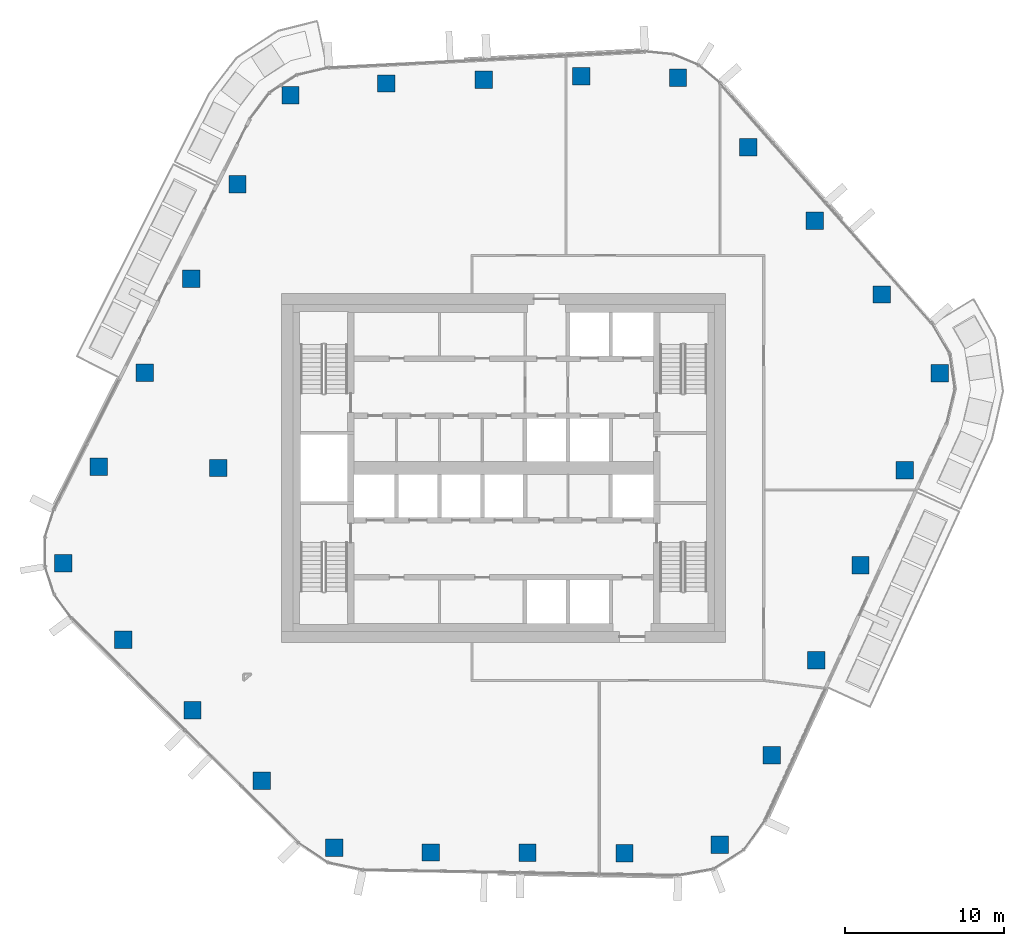
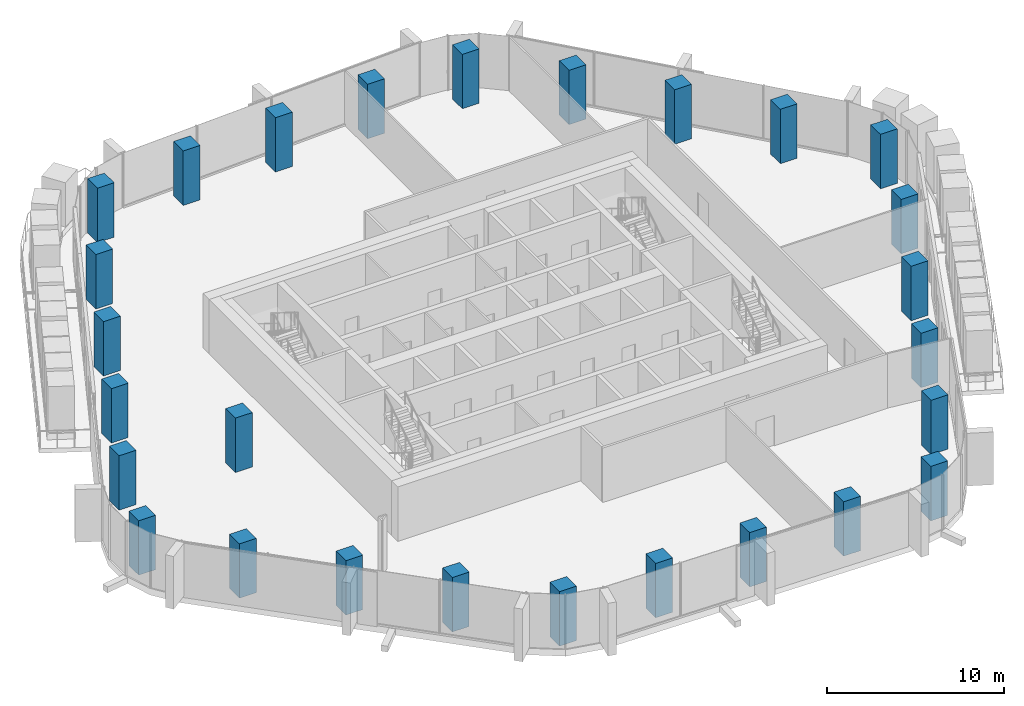
# One storey, part 1 of 21: 27 columns.
"""IFC4 building model written with IfcOpenShell, lengths in metres."""

from ifc_helpers import new_model, si_unit, direction, frame, origin, origin_2d, place, context, subcontext, project, spatial, rectangle, extrude, material, material_profile, profile_set, type_object, element, save


model = new_model("IFC4")

# Units and contexts
model_context = context("Model", 3, precision=1e-05, world=origin(), true_north=direction((0.0, 1.0)))
body_context = subcontext(model_context, "Body", "Model", "MODEL_VIEW")
ifc_project = project(units=[si_unit("LENGTHUNIT", "METRE"), si_unit("AREAUNIT", "SQUARE_METRE"), si_unit("VOLUMEUNIT", "CUBIC_METRE"), si_unit("PLANEANGLEUNIT", "RADIAN"), si_unit("MASSUNIT", "GRAM", prefix="KILO")], contexts=[model_context])

# Site, building, storey
site_placement = place(None, origin())
site = spatial("IfcSite", under=ifc_project, at=site_placement, CompositionType="ELEMENT")
building_placement = place(site_placement, origin())
building = spatial("IfcBuilding", under=site, at=building_placement, Name="Dongbaek Canopy Tower", CompositionType="ELEMENT")
storey_placement = place(building_placement, frame((0.0, 0.0, 232.800048828125)))
storey = spatial("IfcBuildingStorey", under=building, at=storey_placement, Name="L48", CompositionType="ELEMENT", Elevation=232.800048828125)

# Columns
ifc_material = material(Name="Concrete C70", Category="concrete")
ifc_material_profile = material_profile(ifc_material, rectangle(XDim=1.10009765625, YDim=1.10009765625, at=origin_2d()), Name="RC COLUMN 1100x1100 C70")
ifc_profile_set = profile_set([ifc_material_profile], Name="Concrete C70")
column_type = type_object("IfcColumnType", Name="RC COLUMN 1100x1100 C70", PredefinedType="COLUMN", material=ifc_profile_set)
for number, where, z_axis, x_axis, name in (
    (1, (13.612060546875, -23.74609375, 0.0), (0.0, 0.0, 1.0), (1.0, 0.0, 0.0), "COL:CZ4-01:L48"),
    (2, (7.615966796875, -24.300048828125, 0.0), (0.0, 0.0, 1.0), (1.0, 0.0, 0.0), "COL:CZ4-02:L48"),
    (3, (1.501953125, -24.27197265625, 0.0), (0.0, 0.0, 1.0), (1.0, 0.0, 0.0), "COL:CZ4-03:L48"),
    (4, (-4.611083984375, -24.24609375, 0.0), (0.0, 0.0, 1.0), (1.0, 0.0, 0.0), "COL:CZ4-04:L48"),
    (5, (-10.697021484375, -23.946044921875, 0.0), (0.0, 0.0, 1.0), (1.0, 0.0, 0.0), "COL:CZ4-05:L48"),
    (6, (-15.2470703125, -19.714111328125, 0.0), (0.0, 0.0, 1.0), (1.0, 0.0, 0.0), "COL:CZ4-06:L48"),
    (7, (-19.6220703125, -15.27197265625, 0.0), (0.0, 0.0, 1.0), (1.0, 0.0, 0.0), "COL:CZ4-07:L48"),
    (8, (-23.9970703125, -10.8291015625, 0.0), (0.0, 0.0, 1.0), (1.0, 0.0, 0.0), "COL:CZ4-08:L48"),
    (9, (-27.781982421875, -6.02001953125, 0.0), (0.0, 0.0, 1.0), (1.0, 0.0, 0.0), "COL:CZ4-09:L48"),
    (10, (-25.5400390625, 0.075927734375, 0.0), (0.0, 0.0, 1.0), (1.0, 0.0, 0.0), "COL:CZ4-10:L48"),
    (11, (-22.62109375, 6.010986328125, 0.0), (0.0, 0.0, 1.0), (1.0, 0.0, 0.0), "COL:CZ4-11:L48"),
    (12, (-19.701904296875, 11.945068359375, 0.0), (0.0, 0.0, 1.0), (1.0, 0.0, 0.0), "COL:CZ4-12:L48"),
    (13, (-16.783935546875, 17.8779296875, 0.0), (0.0, 0.0, 1.0), (1.0, 0.0, 0.0), "COL:CZ4-13:L48"),
    (14, (-13.44189453125, 23.490966796875, 0.0), (0.0, 0.0, 1.0), (1.0, 0.0, 0.0), "COL:CZ4-14:L48"),
    (15, (-7.4150390625, 24.242919921875, 0.0), (0.0, 0.0, 1.0), (1.0, 0.0, 0.0), "COL:CZ4-15:L48"),
    (16, (-1.26611328125, 24.47900390625, 0.0), (0.0, 0.0, 1.0), (1.0, 0.0, 0.0), "COL:CZ4-16:L48"),
    (17, (4.883056640625, 24.714111328125, 0.0), (0.0, 0.0, 1.0), (1.0, 0.0, 0.0), "COL:CZ4-17:L48"),
    (18, (10.989990234375, 24.59912109375, 0.0), (0.0, 0.0, 1.0), (1.0, 0.0, 0.0), "COL:CZ4-18:L48"),
    (19, (15.41796875, 20.22900390625, 0.0), (0.0, 0.0, 1.0), (1.0, 0.0, 0.0), "COL:CZ4-19:L48"),
    (20, (19.625, 15.583984375, 0.0), (0.0, 0.0, 1.0), (1.0, 0.0, 0.0), "COL:CZ4-20:L48"),
    (21, (23.8310546875, 10.93896484375, 0.0), (0.0, 0.0, 1.0), (1.0, 0.0, 0.0), "COL:CZ4-21:L48"),
    (22, (27.491943359375, 5.97705078125, 0.0), (0.0, 0.0, 1.0), (1.0, 0.0, 0.0), "COL:CZ4-22:L48"),
    (23, (25.302001953125, -0.152099609375, 0.0), (0.0, 0.0, 1.0), (1.0, 0.0, 0.0), "COL:CZ4-23:L48"),
    (24, (22.4990234375, -6.138916015625, 0.0), (0.0, 0.0, 1.0), (1.0, 0.0, 0.0), "COL:CZ4-24:L48"),
    (25, (19.695068359375, -12.126953125, 0.0), (0.0, 0.0, 1.0), (1.0, 0.0, 0.0), "COL:CZ4-25:L48"),
    (26, (16.889892578125, -18.114013671875, 0.0), (0.0, 0.0, 1.0), (1.0, 0.0, 0.0), "COL:CZ4-26:L48"),
    (27, (-18.0, 0.0, 0.0), (0.0, 0.0, 1.0), (1.0, 0.0, 0.0), "COL:CIZ4-01:L48"),
):
    element("IfcColumn", number, at=place(storey_placement, frame(where, z_axis=z_axis, x_axis=x_axis)), inside=storey, type_object=column_type, Name=name, PredefinedType="COLUMN", context=body_context, shape_type="SweptSolid", body=[
        extrude(rectangle(XDim=1.10009765625, YDim=1.10009765625, at=origin_2d()), origin(), (0.0, 0.0, 1.0), 3.75),
    ])

save(model, "model.ifc")
